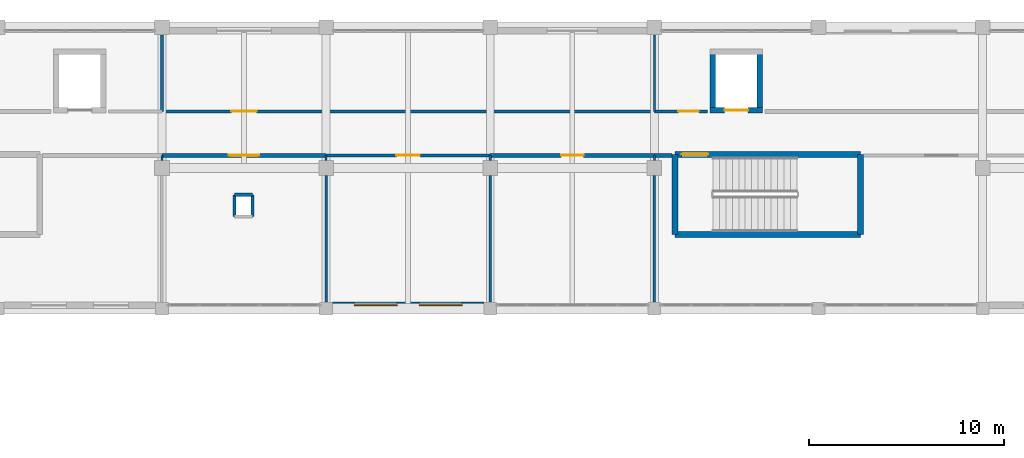
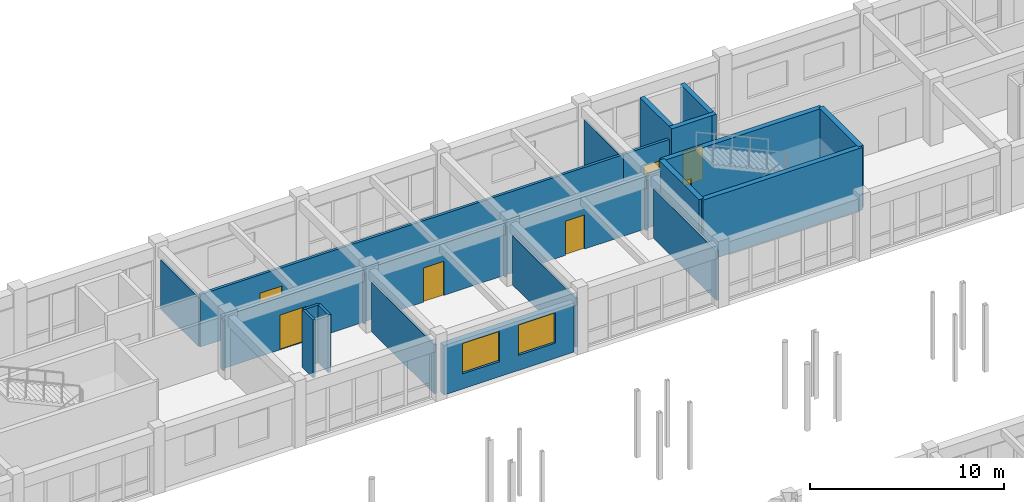
# One storey, part 132 of 147: 26 walls, 7 doors, 2 windows, 9 openings.
"""IFC4 building model written with IfcOpenShell, lengths in metres."""

from ifc_helpers import new_model, si_unit, direction, frame, frame_2d, origin, place, context, subcontext, project, spatial, rectangle, extrude, material, layer, layer_set, type_object, element, fill, save


model = new_model("IFC4")

# Units and contexts
model_context = context("Model", 3, precision=1e-05, world=origin(), true_north=direction((0.0, 1.0)))
body_context = subcontext(model_context, "Body", "Model", "MODEL_VIEW")
ifc_project = project(units=[si_unit("LENGTHUNIT", "METRE"), si_unit("AREAUNIT", "SQUARE_METRE"), si_unit("VOLUMEUNIT", "CUBIC_METRE"), si_unit("PLANEANGLEUNIT", "RADIAN"), si_unit("MASSUNIT", "GRAM", prefix="KILO")], contexts=[model_context])

# Site, building, storey
site_placement = place(None, origin())
site = spatial("IfcSite", under=ifc_project, at=site_placement, CompositionType="ELEMENT")
building_placement = place(site_placement, origin())
building = spatial("IfcBuilding", under=site, at=building_placement, Name="Malvenik Polytechnic", CompositionType="ELEMENT")
storey_placement = place(building_placement, frame((0.0, 0.0, 5.10009765625)))
storey = spatial("IfcBuildingStorey", under=building, at=storey_placement, Name="L01", CompositionType="ELEMENT", Elevation=5.10009765625)

# Wall, opening, door
ifc_material_1 = material(Name="Concrete C35/45", Category="concrete")
ifc_layer_1 = layer(ifc_material_1, 0.280029296875)
ifc_layer_set_1 = layer_set([ifc_layer_1], Name="Concrete C35/45")
wall_type_1 = type_object("IfcWallType", Name="ARC-CW-S280", PredefinedType="SHEAR", material=ifc_layer_set_1)
wall_1_placement = place(storey_placement, frame((55.93994140625, 125.35009765625, 0.0), z_axis=(0.0, 0.0, 1.0), x_axis=(-1.0, 0.0, 0.0)))
wall_1 = element("IfcWall", 1, at=wall_1_placement, inside=storey, type_object=wall_type_1, Name="Lift Shaft Shear Wall LS-02 L01 -Y", PredefinedType="SHEAR", context=body_context, shape_type="SweptSolid", body=[
    extrude(rectangle(XDim=2.679931640625, YDim=0.280029296875, at=frame_2d((1.33984375, 0.0))), origin(), (0.0, 0.0, 1.0), 3.919921875),
])
opening_1_placement = place(wall_1_placement, frame((0.739990234375, 0.0, 0.0)))
opening_1 = element("IfcOpeningElement", 2, at=opening_1_placement, cuts=wall_1, Name="Opening LD-02", PredefinedType="OPENING", context=body_context, shape_type="SweptSolid", body=[
    extrude(rectangle(XDim=1.199951171875, YDim=2.14990234375, at=frame_2d((0.60009765625, 1.074951171875))), frame((0.0, 0.14990234375, 0.0), z_axis=(0.0, -1.0, 0.0), x_axis=(1.0, 0.0, 0.0)), (0.0, 0.0, 1.0), 0.300048828125),
])
ifc_material_2 = material(Name="Stainless steel fire-rated sliding lift landing door", Category="steel")
door_type_1 = type_object("IfcDoorType", Name="ARC-LDR-LD-02", OperationType="NOTDEFINED", PredefinedType="DOOR", material=ifc_material_2)
door_1_placement = place(opening_1_placement, origin())
door_1 = element("IfcDoor", 3, at=door_1_placement, inside=storey, type_object=door_type_1, Name="Lift Sliding Landing Door LS-02 L01", OperationType="DOUBLE_DOOR_SLIDING", OverallHeight=2.14990234375, OverallWidth=1.199951171875, PredefinedType="DOOR", context=body_context, shape_type="SweptSolid", body=[
    extrude(rectangle(XDim=1.199951171875, YDim=2.14990234375, at=frame_2d((0.60009765625, 1.074951171875))), frame((0.0, 0.02490234375, 0.0), z_axis=(0.0, -1.0, 0.0), x_axis=(1.0, 0.0, 0.0)), (0.0, 0.0, 1.0), 0.050048828125),
])
fill(opening_1, door_1)

# Walls
for number, where, z_axis, x_axis, name in (
    (4, (53.39990234375, 125.2099609375, 0.0), (0.0, 0.0, 1.0), (0.0, 1.0, 0.0), "Lift Shaft Shear Wall LS-02 L01 -X"),
    (5, (55.800048828125, 128.489990234375, 0.0), (0.0, 0.0, 1.0), (0.0, -1.0, 0.0), "Lift Shaft Shear Wall LS-02 L01 +X"),
):
    element("IfcWall", number, at=place(storey_placement, frame(where, z_axis=z_axis, x_axis=x_axis)), inside=storey, type_object=wall_type_1, Name=name, PredefinedType="SHEAR", context=body_context, shape_type="SweptSolid", body=[
        extrude(rectangle(XDim=3.280029296875, YDim=0.280029296875, at=frame_2d((1.64013671875, 0.0))), origin(), (0.0, 0.0, 1.0), 3.919921875),
    ])
ifc_layer_2 = layer(ifc_material_1, 0.300048828125)
ifc_layer_set_2 = layer_set([ifc_layer_2], Name="Concrete C35/45")
wall_type_2 = type_object("IfcWallType", Name="ARC-CW-S300", PredefinedType="SHEAR", material=ifc_layer_set_2)
wall_2_placement = place(storey_placement, frame((51.449951171875, 119.0, 0.0), z_axis=(0.0, 0.0, 1.0), x_axis=(0.0, 1.0, 0.0)))
element("IfcWall", 6, at=wall_2_placement, inside=storey, type_object=wall_type_2, Name="Stair Core Shear Wall ST-02 L01 NEAR", PredefinedType="SHEAR", context=body_context, shape_type="SweptSolid", body=[
    extrude(rectangle(XDim=4.10009765625, YDim=0.300048828125, at=frame_2d((2.050048828125, 0.0))), origin(), (0.0, 0.0, 1.0), 3.919921875),
])

# Wall, opening, door
wall_3_placement = place(storey_placement, frame((51.449951171875, 123.10009765625, 0.0), z_axis=(0.0, 0.0, 1.0), x_axis=(1.0, 0.0, 0.0)))
wall_3 = element("IfcWall", 7, at=wall_3_placement, inside=storey, type_object=wall_type_2, Name="Stair Core Shear Wall ST-02 L01 RGHT", PredefinedType="SHEAR", context=body_context, shape_type="SweptSolid", body=[
    extrude(rectangle(XDim=9.5, YDim=0.300048828125, at=frame_2d((4.75, 0.0))), origin(), (0.0, 0.0, 1.0), 3.919921875),
])
opening_2_placement = place(wall_3_placement, frame((0.35009765625, 0.0, 0.0)))
opening_2 = element("IfcOpeningElement", 8, at=opening_2_placement, cuts=wall_3, Name="Opening SD-01", PredefinedType="OPENING", context=body_context, shape_type="SweptSolid", body=[
    extrude(rectangle(XDim=1.35009765625, YDim=2.199951171875, at=frame_2d((0.675048828125, 1.10009765625))), frame((0.0, 0.16015625, 0.0), z_axis=(0.0, -1.0, 0.0), x_axis=(1.0, 0.0, 0.0)), (0.0, 0.0, 1.0), 0.320068359375),
])
ifc_material_3 = material(Name="Fire-rated steel stair enclosure door", Category="steel")
door_type_2 = type_object("IfcDoorType", Name="ARC-IDR-SD-01", OperationType="NOTDEFINED", PredefinedType="DOOR", material=ifc_material_3)
door_2_placement = place(opening_2_placement, origin())
door_2 = element("IfcDoor", 9, at=door_2_placement, inside=storey, type_object=door_type_2, Name="Fire Stair Door ST-02 L01", OperationType="SINGLE_SWING_RIGHT", OverallHeight=2.199951171875, OverallWidth=1.35009765625, PredefinedType="DOOR", context=body_context, shape_type="SweptSolid", body=[
    extrude(rectangle(XDim=1.35009765625, YDim=2.199951171875, at=frame_2d((0.675048828125, 1.10009765625))), frame((0.0, 0.02490234375, 0.0), z_axis=(0.0, -1.0, 0.0), x_axis=(1.0, 0.0, 0.0)), (0.0, 0.0, 1.0), 0.050048828125),
])
fill(opening_2, door_2)

# Walls
wall_4_placement = place(storey_placement, frame((60.949951171875, 123.10009765625, 0.0), z_axis=(0.0, 0.0, 1.0), x_axis=(0.0, -1.0, 0.0)))
element("IfcWall", 10, at=wall_4_placement, inside=storey, type_object=wall_type_2, Name="Stair Core Shear Wall ST-02 L01 FAR", PredefinedType="SHEAR", context=body_context, shape_type="SweptSolid", body=[
    extrude(rectangle(XDim=4.10009765625, YDim=0.300048828125, at=frame_2d((2.050048828125, 0.0))), origin(), (0.0, 0.0, 1.0), 3.919921875),
])
wall_5_placement = place(storey_placement, frame((60.949951171875, 119.0, 0.0), z_axis=(0.0, 0.0, 1.0), x_axis=(-1.0, 0.0, 0.0)))
element("IfcWall", 11, at=wall_5_placement, inside=storey, type_object=wall_type_2, Name="Stair Core Shear Wall ST-02 L01 LEFT", PredefinedType="SHEAR", context=body_context, shape_type="SweptSolid", body=[
    extrude(rectangle(XDim=9.5, YDim=0.300048828125, at=frame_2d((4.75, 0.0))), origin(), (0.0, 0.0, 1.0), 3.919921875),
])

# Wall, openings, windows
ifc_material_4 = material(Name="Concrete C30/37", Category="concrete")
ifc_layer_3 = layer(ifc_material_4, 0.340087890625)
ifc_layer_set_3 = layer_set([ifc_layer_3], Name="Concrete C30/37")
wall_type_3 = type_object("IfcWallType", Name="ARC-EW-340", PredefinedType="SOLIDWALL", material=ifc_layer_set_3)
wall_6_placement = place(storey_placement, frame((41.677001953125, 115.3701171875, 0.0), z_axis=(0.0, 0.0, 1.0), x_axis=(-1.0, 0.0, 0.0)))
wall_6 = element("IfcWall", 12, at=wall_6_placement, inside=storey, type_object=wall_type_3, Name="External Facade Wall EW-02 L01 #186", PredefinedType="SOLIDWALL", context=body_context, shape_type="SweptSolid", body=[
    extrude(rectangle(XDim=7.75390625, YDim=0.340087890625, at=frame_2d((3.876953125, 0.0))), origin(), (0.0, 0.0, 1.0), 3.10986328125),
])
opening_3_placement = place(wall_6_placement, frame((1.117919921875, 0.0, 0.949951171875)))
opening_3 = element("IfcOpeningElement", 13, at=opening_3_placement, cuts=wall_6, Name="Opening W-02", PredefinedType="OPENING", context=body_context, shape_type="SweptSolid", body=[
    extrude(rectangle(XDim=2.199951171875, YDim=1.909912109375, at=frame_2d((1.10009765625, 0.955078125))), frame((0.0, 0.18017578125, 0.0), z_axis=(0.0, -1.0, 0.0), x_axis=(1.0, 0.0, 0.0)), (0.0, 0.0, 1.0), 0.360107421875),
])
opening_4_placement = place(wall_6_placement, frame((4.43603515625, 0.0, 0.949951171875)))
opening_4 = element("IfcOpeningElement", 14, at=opening_4_placement, cuts=wall_6, Name="Opening W-02", PredefinedType="OPENING", context=body_context, shape_type="SweptSolid", body=[
    extrude(rectangle(XDim=2.199951171875, YDim=1.909912109375, at=frame_2d((1.10009765625, 0.955078125))), frame((0.0, 0.18017578125, 0.0), z_axis=(0.0, -1.0, 0.0), x_axis=(1.0, 0.0, 0.0)), (0.0, 0.0, 1.0), 0.360107421875),
])
ifc_material_5 = material(Name="Thermally broken aluminium frame with low-E double glazing", Category="aluminium")
window_type = type_object("IfcWindowType", Name="ARC-WIN-W-02", PartitioningType="SINGLE_PANEL", PredefinedType="WINDOW", material=ifc_material_5)
window_1_placement = place(opening_3_placement, origin())
window_1 = element("IfcWindow", 15, at=window_1_placement, inside=storey, type_object=window_type, Name="Punched Window W-02 L01 #151", OverallHeight=1.909912109375, OverallWidth=2.199951171875, PartitioningType="SINGLE_PANEL", PredefinedType="WINDOW", context=body_context, shape_type="SweptSolid", body=[
    extrude(rectangle(XDim=2.199951171875, YDim=1.909912109375, at=frame_2d((1.10009765625, 0.955078125))), frame((0.0, 0.030029296875, 0.0), z_axis=(0.0, -1.0, 0.0), x_axis=(1.0, 0.0, 0.0)), (0.0, 0.0, 1.0), 0.06005859375),
])
fill(opening_3, window_1)
window_2_placement = place(opening_4_placement, origin())
window_2 = element("IfcWindow", 16, at=window_2_placement, inside=storey, type_object=window_type, Name="Punched Window W-02 L01 #152", OverallHeight=1.909912109375, OverallWidth=2.199951171875, PartitioningType="SINGLE_PANEL", PredefinedType="WINDOW", context=body_context, shape_type="SweptSolid", body=[
    extrude(rectangle(XDim=2.199951171875, YDim=1.909912109375, at=frame_2d((1.10009765625, 0.955078125))), frame((0.0, 0.030029296875, 0.0), z_axis=(0.0, -1.0, 0.0), x_axis=(1.0, 0.0, 0.0)), (0.0, 0.0, 1.0), 0.06005859375),
])
fill(opening_4, window_2)

# Wall, opening, door
ifc_material_6 = material(Name="Calcium silicate fire-rated blockwork 200mm", Category="masonry")
ifc_layer_4 = layer(ifc_material_6, 0.199951171875)
ifc_layer_set_4 = layer_set([ifc_layer_4], Name="Calcium silicate fire-rated blockwork 200mm")
wall_type_4 = type_object("IfcWallType", Name="ARC-FW-200", PredefinedType="SOLIDWALL", material=ifc_layer_set_4)
wall_7_placement = place(storey_placement, frame((33.60009765625, 123.050048828125, 0.0), z_axis=(0.0, 0.0, 1.0), x_axis=(-1.0, 0.0, 0.0)))
wall_7 = element("IfcWall", 17, at=wall_7_placement, inside=storey, type_object=wall_type_4, Name="Interior Partition FW-02 L01 #162", PredefinedType="SOLIDWALL", context=body_context, shape_type="SweptSolid", body=[
    extrude(rectangle(XDim=8.400146484375, YDim=0.199951171875, at=frame_2d((4.2001953125, 0.0))), origin(), (0.0, 0.0, 1.0), 3.304931640625),
])
opening_5_placement = place(wall_7_placement, frame((3.425048828125, 0.0, 0.0)))
opening_5 = element("IfcOpeningElement", 18, at=opening_5_placement, cuts=wall_7, Name="Opening FD-09", PredefinedType="OPENING", context=body_context, shape_type="SweptSolid", body=[
    extrude(rectangle(XDim=1.550048828125, YDim=2.199951171875, at=frame_2d((0.77490234375, 1.10009765625))), frame((0.0, 0.10986328125, 0.0), z_axis=(0.0, -1.0, 0.0), x_axis=(1.0, 0.0, 0.0)), (0.0, 0.0, 1.0), 0.219970703125),
])
ifc_material_7 = material(Name="Fire-rated studio corridor double door", Category="steel")
door_type_3 = type_object("IfcDoorType", Name="ARC-IDR-FD-09", OperationType="NOTDEFINED", PredefinedType="DOOR", material=ifc_material_7)
door_3_placement = place(opening_5_placement, origin())
door_3 = element("IfcDoor", 19, at=door_3_placement, inside=storey, type_object=door_type_3, Name="Interior Door FD-09 L01 #70", OperationType="DOUBLE_DOOR_SINGLE_SWING", OverallHeight=2.199951171875, OverallWidth=1.550048828125, PredefinedType="DOOR", context=body_context, shape_type="SweptSolid", body=[
    extrude(rectangle(XDim=1.550048828125, YDim=2.199951171875, at=frame_2d((0.77490234375, 1.10009765625))), frame((0.0, 0.02490234375, 0.0), z_axis=(0.0, -1.0, 0.0), x_axis=(1.0, 0.0, 0.0)), (0.0, 0.0, 1.0), 0.050048828125),
])
fill(opening_5, door_3)

wall_8_placement = place(storey_placement, frame((50.39990234375, 123.050048828125, 0.0), z_axis=(0.0, 0.0, 1.0), x_axis=(-1.0, 0.0, 0.0)))
wall_8 = element("IfcWall", 20, at=wall_8_placement, inside=storey, type_object=wall_type_4, Name="Interior Partition FW-02 L01 #168", PredefinedType="SOLIDWALL", context=body_context, shape_type="SweptSolid", body=[
    extrude(rectangle(XDim=8.39990234375, YDim=0.199951171875, at=frame_2d((4.199951171875, 0.0))), origin(), (0.0, 0.0, 1.0), 3.304931640625),
])
opening_6_placement = place(wall_8_placement, frame((3.625, 0.0, 0.0)))
opening_6 = element("IfcOpeningElement", 21, at=opening_6_placement, cuts=wall_8, Name="Opening FD-01", PredefinedType="OPENING", context=body_context, shape_type="SweptSolid", body=[
    extrude(rectangle(XDim=1.14990234375, YDim=2.14990234375, at=frame_2d((0.574951171875, 1.074951171875))), frame((0.0, 0.10986328125, 0.0), z_axis=(0.0, -1.0, 0.0), x_axis=(1.0, 0.0, 0.0)), (0.0, 0.0, 1.0), 0.219970703125),
])
ifc_material_8 = material(Name="Fire-rated timber acoustic corridor door", Category="wood")
door_type_4 = type_object("IfcDoorType", Name="ARC-IDR-FD-01", OperationType="NOTDEFINED", PredefinedType="DOOR", material=ifc_material_8)
door_4_placement = place(opening_6_placement, origin())
door_4 = element("IfcDoor", 22, at=door_4_placement, inside=storey, type_object=door_type_4, Name="Interior Door FD-01 L01 #72", OperationType="SINGLE_SWING_LEFT", OverallHeight=2.14990234375, OverallWidth=1.14990234375, PredefinedType="DOOR", context=body_context, shape_type="SweptSolid", body=[
    extrude(rectangle(XDim=1.14990234375, YDim=2.14990234375, at=frame_2d((0.574951171875, 1.074951171875))), frame((0.0, 0.02490234375, 0.0), z_axis=(0.0, -1.0, 0.0), x_axis=(1.0, 0.0, 0.0)), (0.0, 0.0, 1.0), 0.050048828125),
])
fill(opening_6, door_4)

# Walls
wall_9_placement = place(storey_placement, frame((51.31005859375, 123.050048828125, 0.0), z_axis=(0.0, 0.0, 1.0), x_axis=(-1.0, 0.0, 0.0)))
element("IfcWall", 23, at=wall_9_placement, inside=storey, type_object=wall_type_4, Name="Interior Partition FW-02 L01 #172", PredefinedType="SOLIDWALL", context=body_context, shape_type="SweptSolid", body=[
    extrude(rectangle(XDim=0.91015625, YDim=0.199951171875, at=frame_2d((0.455078125, 0.0))), origin(), (0.0, 0.0, 1.0), 3.304931640625),
])
ifc_material_9 = material(Name="Lightweight gypsum partition 110mm", Category="gypsum")
ifc_layer_5 = layer(ifc_material_9, 0.110107421875)
ifc_layer_set_5 = layer_set([ifc_layer_5], Name="Lightweight gypsum partition 110mm")
wall_type_5 = type_object("IfcWallType", Name="ARC-PW-110", PredefinedType="PARTITIONING", material=ifc_layer_set_5)
wall_10_placement = place(storey_placement, frame((50.39990234375, 125.300048828125, 0.0), z_axis=(0.0, 0.0, 1.0), x_axis=(0.0, 1.0, 0.0)))
element("IfcWall", 24, at=wall_10_placement, inside=storey, type_object=wall_type_5, Name="Interior Partition PW-04I L01 #152", PredefinedType="PARTITIONING", context=body_context, shape_type="SweptSolid", body=[
    extrude(rectangle(XDim=3.905029296875, YDim=0.110107421875, at=frame_2d((1.95263671875, 0.0))), origin(), (0.0, 0.0, 1.0), 3.10498046875),
])
for number, where, z_axis, x_axis, name in (
    (25, (25.199951171875, 122.794921875, 0.0), (0.0, 0.0, 1.0), (0.0, 1.0, 0.0), "Interior Partition PW-04I L01 #161"),
    (26, (33.60009765625, 122.794921875, 0.0), (0.0, 0.0, 1.0), (0.0, 1.0, 0.0), "Interior Partition PW-04I L01 #164"),
    (27, (42.0, 122.794921875, 0.0), (0.0, 0.0, 1.0), (0.0, 1.0, 0.0), "Interior Partition PW-04I L01 #167"),
    (28, (50.39990234375, 122.794921875, 0.0), (0.0, 0.0, 1.0), (0.0, 1.0, 0.0), "Interior Partition PW-04I L01 #170"),
):
    element("IfcWall", number, at=place(storey_placement, frame(where, z_axis=z_axis, x_axis=x_axis)), inside=storey, type_object=wall_type_5, Name=name, PredefinedType="PARTITIONING", context=body_context, shape_type="SweptSolid", body=[
        extrude(rectangle(XDim=0.255126953125, YDim=0.110107421875, at=frame_2d((0.12744140625, 0.0))), origin(), (0.0, 0.0, 1.0), 3.15478515625),
    ])
ifc_material_10 = material(Name="Metal-stud gypsum board partition 125mm", Category="gypsum")
ifc_layer_6 = layer(ifc_material_10, 0.125)
ifc_layer_set_6 = layer_set([ifc_layer_6], Name="Metal-stud gypsum board partition 125mm")
wall_type_6 = type_object("IfcWallType", Name="ARC-PW-125", PredefinedType="PARTITIONING", material=ifc_layer_set_6)
for number, where, z_axis, x_axis, name in (
    (29, (33.60009765625, 115.544921875, 0.0), (0.0, 0.0, 1.0), (0.0, 1.0, 0.0), "Interior Partition PW-03I L01 #163"),
    (30, (42.0, 115.544921875, 0.0), (0.0, 0.0, 1.0), (0.0, 1.0, 0.0), "Interior Partition PW-03I L01 #166"),
    (31, (50.39990234375, 115.544921875, 0.0), (0.0, 0.0, 1.0), (0.0, 1.0, 0.0), "Interior Partition PW-03I L01 #169"),
):
    element("IfcWall", number, at=place(storey_placement, frame(where, z_axis=z_axis, x_axis=x_axis)), inside=storey, type_object=wall_type_6, Name=name, PredefinedType="PARTITIONING", context=body_context, shape_type="SweptSolid", body=[
        extrude(rectangle(XDim=6.4599609375, YDim=0.125, at=frame_2d((3.22998046875, 0.0))), origin(), (0.0, 0.0, 1.0), 3.10498046875),
    ])
ifc_material_11 = material(Name="Acoustic metal-stud gypsum partition 140mm", Category="gypsum")
ifc_layer_7 = layer(ifc_material_11, 0.139892578125)
ifc_layer_set_7 = layer_set([ifc_layer_7], Name="Acoustic metal-stud gypsum partition 140mm")
wall_type_7 = type_object("IfcWallType", Name="ARC-PW-140", PredefinedType="PARTITIONING", material=ifc_layer_set_7)
wall_11_placement = place(storey_placement, frame((25.199951171875, 125.300048828125, 0.0), z_axis=(0.0, 0.0, 1.0), x_axis=(0.0, 1.0, 0.0)))
element("IfcWall", 32, at=wall_11_placement, inside=storey, type_object=wall_type_7, Name="Interior Partition PW-02I L01 #150", PredefinedType="PARTITIONING", context=body_context, shape_type="SweptSolid", body=[
    extrude(rectangle(XDim=3.905029296875, YDim=0.139892578125, at=frame_2d((1.95263671875, 0.0))), origin(), (0.0, 0.0, 1.0), 3.10498046875),
])
ifc_material_12 = material(Name="Double-stud acoustic gypsum board partition 160mm", Category="gypsum")
ifc_layer_8 = layer(ifc_material_12, 0.159912109375)
ifc_layer_set_8 = layer_set([ifc_layer_8], Name="Double-stud acoustic gypsum board partition 160mm")
wall_type_8 = type_object("IfcWallType", Name="ARC-PW-160", PredefinedType="PARTITIONING", material=ifc_layer_set_8)
wall_12_placement = place(storey_placement, frame((29.830078125, 121.030029296875, 0.0), z_axis=(0.0, 0.0, 1.0), x_axis=(-1.0, 0.0, 0.0)))
element("IfcWall", 33, at=wall_12_placement, inside=storey, type_object=wall_type_8, Name="Riser Shaft Enclosure L01 #13N", PredefinedType="PARTITIONING", context=body_context, shape_type="SweptSolid", body=[
    extrude(rectangle(XDim=0.91015625, YDim=0.159912109375, at=frame_2d((0.455078125, 0.0))), origin(), (0.0, 0.0, 1.0), 3.64990234375),
])
for number, where, z_axis, x_axis, name in (
    (34, (28.919921875, 121.030029296875, 0.0), (0.0, 0.0, 1.0), (0.0, -1.0, 0.0), "Riser Shaft Enclosure L01 #13W"),
    (35, (29.830078125, 119.919921875, 0.0), (0.0, 0.0, 1.0), (0.0, 1.0, 0.0), "Riser Shaft Enclosure L01 #13E"),
):
    element("IfcWall", number, at=place(storey_placement, frame(where, z_axis=z_axis, x_axis=x_axis)), inside=storey, type_object=wall_type_8, Name=name, PredefinedType="PARTITIONING", context=body_context, shape_type="SweptSolid", body=[
        extrude(rectangle(XDim=1.110107421875, YDim=0.159912109375, at=frame_2d((0.55517578125, 0.0))), origin(), (0.0, 0.0, 1.0), 3.64990234375),
    ])

# Wall, opening, door
wall_13_placement = place(storey_placement, frame((25.199951171875, 125.300048828125, 0.0), z_axis=(0.0, 0.0, 1.0), x_axis=(1.0, 0.0, 0.0)))
wall_13 = element("IfcWall", 36, at=wall_13_placement, inside=storey, type_object=wall_type_8, Name="Interior Partition PW-01I L01 #151", PredefinedType="PARTITIONING", context=body_context, shape_type="SweptSolid", body=[
    extrude(rectangle(XDim=25.199951171875, YDim=0.159912109375, at=frame_2d((12.60009765625, 0.0))), origin(), (0.0, 0.0, 1.0), 3.304931640625),
])
opening_7_placement = place(wall_13_placement, frame((3.550048828125, 0.0, 0.0)))
opening_7 = element("IfcOpeningElement", 37, at=opening_7_placement, cuts=wall_13, Name="Opening FD-04", PredefinedType="OPENING", context=body_context, shape_type="SweptSolid", body=[
    extrude(rectangle(XDim=1.300048828125, YDim=2.14990234375, at=frame_2d((0.64990234375, 1.074951171875))), frame((0.0, 0.08984375, 0.0), z_axis=(0.0, -1.0, 0.0), x_axis=(1.0, 0.0, 0.0)), (0.0, 0.0, 1.0), 0.179931640625),
])
ifc_material_13 = material(Name="Fire-rated plant room steel door", Category="steel")
door_type_5 = type_object("IfcDoorType", Name="ARC-IDR-FD-04", OperationType="NOTDEFINED", PredefinedType="DOOR", material=ifc_material_13)
door_5_placement = place(opening_7_placement, origin())
door_5 = element("IfcDoor", 38, at=door_5_placement, inside=storey, type_object=door_type_5, Name="Interior Door FD-04 L01 #66", OperationType="SINGLE_SWING_RIGHT", OverallHeight=2.14990234375, OverallWidth=1.300048828125, PredefinedType="DOOR", context=body_context, shape_type="SweptSolid", body=[
    extrude(rectangle(XDim=1.300048828125, YDim=2.14990234375, at=frame_2d((0.64990234375, 1.074951171875))), frame((0.0, 0.02490234375, 0.0), z_axis=(0.0, -1.0, 0.0), x_axis=(1.0, 0.0, 0.0)), (0.0, 0.0, 1.0), 0.050048828125),
])
fill(opening_7, door_5)

wall_14_placement = place(storey_placement, frame((50.39990234375, 125.300048828125, 0.0), z_axis=(0.0, 0.0, 1.0), x_axis=(1.0, 0.0, 0.0)))
wall_14 = element("IfcWall", 39, at=wall_14_placement, inside=storey, type_object=wall_type_8, Name="Interior Partition PW-01I L01 #153", PredefinedType="PARTITIONING", context=body_context, shape_type="SweptSolid", body=[
    extrude(rectangle(XDim=2.72998046875, YDim=0.159912109375, at=frame_2d((1.364990234375, 0.0))), origin(), (0.0, 0.0, 1.0), 3.304931640625),
])
opening_8_placement = place(wall_14_placement, frame((1.22998046875, 0.0, 0.0)))
opening_8 = element("IfcOpeningElement", 40, at=opening_8_placement, cuts=wall_14, Name="Opening FD-05", PredefinedType="OPENING", context=body_context, shape_type="SweptSolid", body=[
    extrude(rectangle(XDim=1.050048828125, YDim=2.14990234375, at=frame_2d((0.52490234375, 1.074951171875))), frame((0.0, 0.08984375, 0.0), z_axis=(0.0, -1.0, 0.0), x_axis=(1.0, 0.0, 0.0)), (0.0, 0.0, 1.0), 0.179931640625),
])
ifc_material_14 = material(Name="Fire-rated archive room door", Category="steel")
door_type_6 = type_object("IfcDoorType", Name="ARC-IDR-FD-05", OperationType="NOTDEFINED", PredefinedType="DOOR", material=ifc_material_14)
door_6_placement = place(opening_8_placement, origin())
door_6 = element("IfcDoor", 41, at=door_6_placement, inside=storey, type_object=door_type_6, Name="Interior Door FD-05 L01 #67", OperationType="SINGLE_SWING_LEFT", OverallHeight=2.14990234375, OverallWidth=1.050048828125, PredefinedType="DOOR", context=body_context, shape_type="SweptSolid", body=[
    extrude(rectangle(XDim=1.050048828125, YDim=2.14990234375, at=frame_2d((0.52490234375, 1.074951171875))), frame((0.0, 0.02490234375, 0.0), z_axis=(0.0, -1.0, 0.0), x_axis=(1.0, 0.0, 0.0)), (0.0, 0.0, 1.0), 0.050048828125),
])
fill(opening_8, door_6)

wall_15_placement = place(storey_placement, frame((42.0, 123.050048828125, 0.0), z_axis=(0.0, 0.0, 1.0), x_axis=(-1.0, 0.0, 0.0)))
wall_15 = element("IfcWall", 42, at=wall_15_placement, inside=storey, type_object=wall_type_8, Name="Interior Partition PW-01I L01 #165", PredefinedType="PARTITIONING", context=body_context, shape_type="SweptSolid", body=[
    extrude(rectangle(XDim=8.39990234375, YDim=0.159912109375, at=frame_2d((4.199951171875, 0.0))), origin(), (0.0, 0.0, 1.0), 3.304931640625),
])
opening_9_placement = place(wall_15_placement, frame((3.60009765625, 0.0, 0.0)))
opening_9 = element("IfcOpeningElement", 43, at=opening_9_placement, cuts=wall_15, Name="Opening FD-10", PredefinedType="OPENING", context=body_context, shape_type="SweptSolid", body=[
    extrude(rectangle(XDim=1.199951171875, YDim=2.14990234375, at=frame_2d((0.60009765625, 1.074951171875))), frame((0.0, 0.08984375, 0.0), z_axis=(0.0, -1.0, 0.0), x_axis=(1.0, 0.0, 0.0)), (0.0, 0.0, 1.0), 0.179931640625),
])
ifc_material_15 = material(Name="Fire-rated laboratory corridor door", Category="steel")
door_type_7 = type_object("IfcDoorType", Name="ARC-IDR-FD-10", OperationType="NOTDEFINED", PredefinedType="DOOR", material=ifc_material_15)
door_7_placement = place(opening_9_placement, origin())
door_7 = element("IfcDoor", 44, at=door_7_placement, inside=storey, type_object=door_type_7, Name="Interior Door FD-10 L01 #71", OperationType="SINGLE_SWING_RIGHT", OverallHeight=2.14990234375, OverallWidth=1.199951171875, PredefinedType="DOOR", context=body_context, shape_type="SweptSolid", body=[
    extrude(rectangle(XDim=1.199951171875, YDim=2.14990234375, at=frame_2d((0.60009765625, 1.074951171875))), frame((0.0, 0.02490234375, 0.0), z_axis=(0.0, -1.0, 0.0), x_axis=(1.0, 0.0, 0.0)), (0.0, 0.0, 1.0), 0.050048828125),
])
fill(opening_9, door_7)

save(model, "model.ifc")
